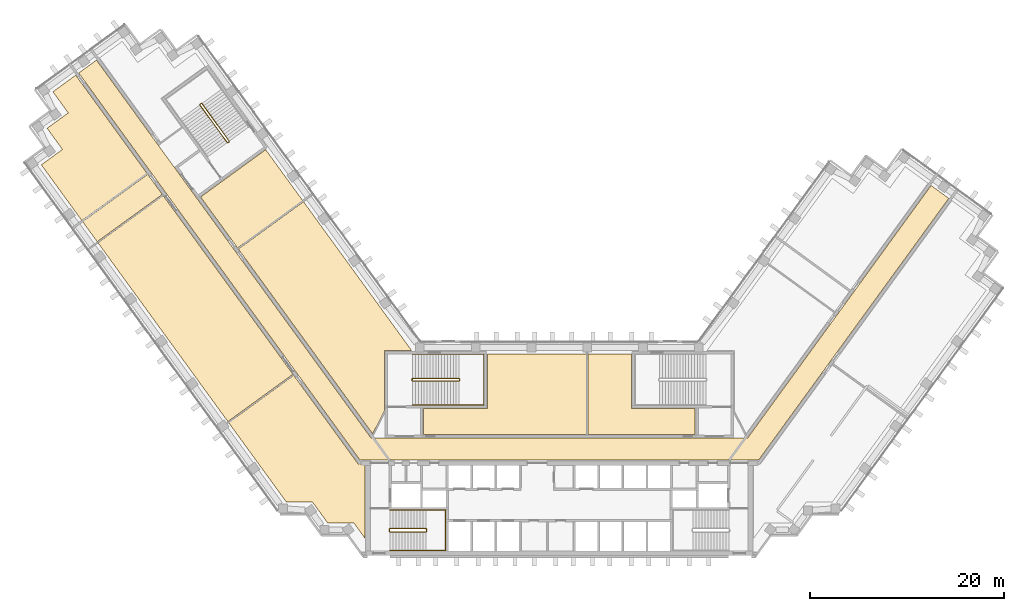
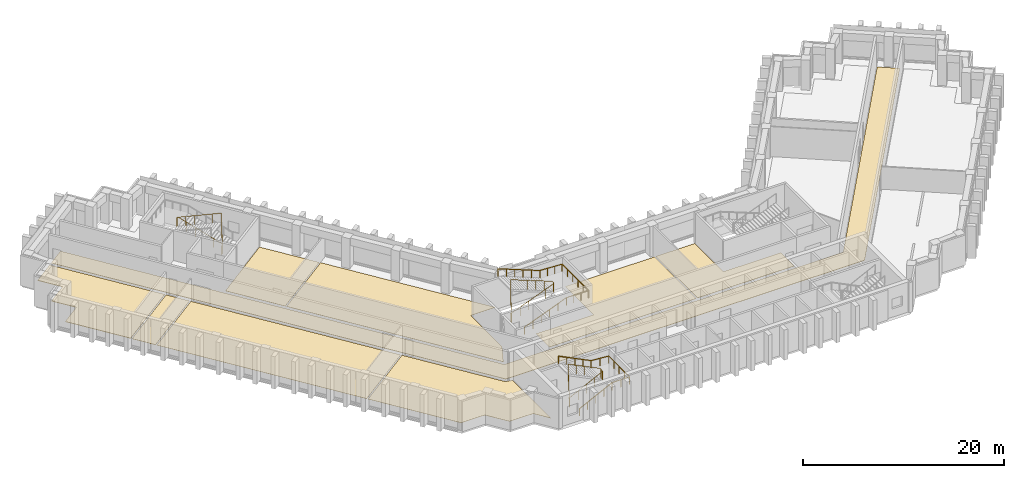
# One storey, part 11 of 12: 9 coverings, 5 railings.
"""IFC4 building model written with IfcOpenShell, lengths in metres."""

from ifc_helpers import new_model, si_unit, direction, frame, origin, origin_2d, place, context, subcontext, project, spatial, polyline, circle, outline, extrude, material, layer, layer_set, type_object, element, save


model = new_model("IFC4")

# Units and contexts
model_context = context("Model", 3, precision=1e-05, world=origin(), true_north=direction((0.0, 1.0)))
body_context = subcontext(model_context, "Body", "Model", "MODEL_VIEW")
ifc_project = project(units=[si_unit("LENGTHUNIT", "METRE"), si_unit("AREAUNIT", "SQUARE_METRE"), si_unit("VOLUMEUNIT", "CUBIC_METRE"), si_unit("PLANEANGLEUNIT", "RADIAN"), si_unit("MASSUNIT", "GRAM", prefix="KILO")], contexts=[model_context])

# Site, building, storey
site_placement = place(None, origin())
site = spatial("IfcSite", under=ifc_project, at=site_placement, CompositionType="ELEMENT")
building_placement = place(site_placement, origin())
building = spatial("IfcBuilding", under=site, at=building_placement, Name="Quipu Civic Tower", CompositionType="ELEMENT")
storey_placement = place(building_placement, frame((0.0, 0.0, 109.0)))
storey = spatial("IfcBuildingStorey", under=building, at=storey_placement, Name="L25", CompositionType="ELEMENT", Elevation=109.0)

# Coverings
ifc_material_1 = material(Name="Carpet tile on raised access floor")
ifc_layer_1 = layer(ifc_material_1, 0.02001953125)
ifc_layer_set_1 = layer_set([ifc_layer_1], Name="Carpet tile on raised access floor")
covering_type_1 = type_object("IfcCoveringType", Name="Carpet tile floor finish 20", PredefinedType="FLOORING", material=ifc_layer_set_1)
covering_1_placement = place(storey_placement, origin())
element("IfcCovering", 1, at=covering_1_placement, inside=storey, type_object=covering_type_1, Name="Carpet tile floor finish 20", PredefinedType="FLOORING", context=body_context, shape_type="SweptSolid", body=[
    extrude(outline(polyline([(-37.0380859375, 26.0380859375), (-30.31494140625, 30.922119140625), (-26.491943359375, 25.658935546875), (-33.215087890625, 20.77490234375), (-37.0380859375, 26.0380859375)])), origin(), (0.0, 0.0, 1.0), 0.02001953125),
])
covering_2_placement = place(storey_placement, origin())
element("IfcCovering", 2, at=covering_2_placement, inside=storey, type_object=covering_type_1, Name="Carpet tile floor finish 20", PredefinedType="FLOORING", context=body_context, shape_type="SweptSolid", body=[
    extrude(outline(polyline([(-34.138916015625, 2.738037109375), (-27.416015625, 7.62109375), (-20.77490234375, -1.51904296875), (-20.070068359375, -1.52001953125), (-20.070068359375, -9.195068359375), (-21.196044921875, -7.64599609375), (-21.6630859375, -7.64599609375), (-21.666015625, -7.64404296875), (-21.669921875, -7.64111328125), (-21.675048828125, -7.639892578125), (-21.679931640625, -7.637939453125), (-21.68408203125, -7.636962890625), (-21.68896484375, -7.636962890625), (-21.694091796875, -7.635986328125), (-21.698974609375, -7.636962890625), (-21.7041015625, -7.637939453125), (-21.708984375, -7.638916015625), (-21.712890625, -7.64111328125), (-21.718017578125, -7.64306640625), (-21.721923828125, -7.64599609375), (-21.721923828125, -7.64599609375), (-23.89501953125, -7.64599609375), (-25.48193359375, -5.4619140625), (-28.181884765625, -5.4609375), (-34.138916015625, 2.738037109375)])), origin(), (0.0, 0.0, 1.0), 0.02001953125),
])
covering_3_placement = place(storey_placement, origin())
element("IfcCovering", 3, at=covering_3_placement, inside=storey, type_object=covering_type_1, Name="Carpet tile floor finish 20", PredefinedType="FLOORING", context=body_context, shape_type="SweptSolid", body=[
    extrude(outline(polyline([(-14.030029296875, 1.52001953125), (-14.030029296875, 4.179931640625), (-7.429931640625, 4.180908203125), (-7.429931640625, 9.830078125), (2.80908203125, 9.830078125), (2.80908203125, 1.52001953125), (-14.030029296875, 1.52001953125)])), origin(), (0.0, 0.0, 1.0), 0.02001953125),
])
covering_4_placement = place(storey_placement, origin())
element("IfcCovering", 4, at=covering_4_placement, inside=storey, type_object=covering_type_1, Name="Carpet tile floor finish 20", PredefinedType="FLOORING", context=body_context, shape_type="SweptSolid", body=[
    extrude(outline(polyline([(-33.132080078125, 20.662109375), (-26.408935546875, 25.5458984375), (-15.238037109375, 10.169921875), (-18.070068359375, 10.1689453125), (-18.070068359375, 3.94189453125), (-19.27197265625, 1.583984375), (-33.132080078125, 20.662109375)])), origin(), (0.0, 0.0, 1.0), 0.02001953125),
])
covering_5_placement = place(storey_placement, origin())
element("IfcCovering", 5, at=covering_5_placement, inside=storey, type_object=covering_type_1, Name="Carpet tile floor finish 20", PredefinedType="FLOORING", context=body_context, shape_type="SweptSolid", body=[
    extrude(outline(polyline([(-47.62890625, 21.304931640625), (-40.905029296875, 26.18798828125), (-27.4990234375, 7.73388671875), (-34.221923828125, 2.85107421875), (-47.62890625, 21.304931640625)])), origin(), (0.0, 0.0, 1.0), 0.02001953125),
])
ifc_material_2 = material(Name="Ceramic floor tile")
ifc_layer_2 = layer(ifc_material_2, 0.030029296875)
ifc_layer_set_2 = layer_set([ifc_layer_2], Name="Ceramic floor tile")
covering_type_2 = type_object("IfcCoveringType", Name="Ceramic tile floor finish 30", PredefinedType="FLOORING", material=ifc_layer_set_2)
covering_6_placement = place(storey_placement, origin())
element("IfcCovering", 6, at=covering_6_placement, inside=storey, type_object=covering_type_2, Name="Ceramic tile floor finish 30", PredefinedType="FLOORING", context=body_context, shape_type="SweptSolid", body=[
    extrude(outline(polyline([(2.948974609375, 1.52001953125), (2.948974609375, 9.830078125), (7.429931640625, 9.830078125), (7.430908203125, 4.179931640625), (14.030029296875, 4.179931640625), (14.030029296875, 1.52001953125), (2.948974609375, 1.52001953125)])), origin(), (0.0, 0.0, 1.0), 0.030029296875),
])
covering_7_placement = place(storey_placement, origin())
element("IfcCovering", 7, at=covering_7_placement, inside=storey, type_object=covering_type_2, Name="Ceramic tile floor finish 30", PredefinedType="FLOORING", context=body_context, shape_type="SweptSolid", body=[
    extrude(outline(polyline([(-49.216064453125, 23.489013671875), (-42.491943359375, 28.373046875), (-40.988037109375, 26.301025390625), (-47.7119140625, 21.41796875), (-49.216064453125, 23.489013671875)])), origin(), (0.0, 0.0, 1.0), 0.030029296875),
])
ifc_material_3 = material(Name="Sealed cement screed")
ifc_layer_3 = layer(ifc_material_3, 0.050048828125)
ifc_layer_set_3 = layer_set([ifc_layer_3], Name="Sealed cement screed")
covering_type_3 = type_object("IfcCoveringType", Name="Sealed screed floor finish 50", PredefinedType="FLOORING", material=ifc_layer_set_3)
covering_8_placement = place(storey_placement, origin())
element("IfcCovering", 8, at=covering_8_placement, inside=storey, type_object=covering_type_3, Name="Sealed screed floor finish 50", PredefinedType="FLOORING", context=body_context, shape_type="SweptSolid", body=[
    extrude(outline(polyline([(-53.47998046875, 29.35791015625), (-51.297119140625, 30.945068359375), (-52.883056640625, 33.12890625), (-50.698974609375, 34.717041015625), (-52.284912109375, 36.90087890625), (-49.930908203125, 38.611083984375), (-42.574951171875, 28.486083984375), (-49.299072265625, 23.60205078125), (-53.47998046875, 29.35791015625)])), origin(), (0.0, 0.0, 1.0), 0.050048828125),
])

# Railings
ifc_material_4 = material(Name="Stainless steel", Category="steel")
railing_type_1 = type_object("IfcRailingType", Name="Stair guard 1100", PredefinedType="GUARDRAIL", material=ifc_material_4)
railing_1_placement = place(storey_placement, frame((-17.5, -8.550048828125, 0.15380859375)))
element("IfcRailing", 9, at=railing_1_placement, inside=storey, type_object=railing_type_1, Name="Stair 1 guard", PredefinedType="GUARDRAIL", context=body_context, shape_type="SweptSolid", body=[
    extrude(circle(Radius=0.02392578125, at=origin_2d()), frame((0.0, 0.0, 1.076171875), z_axis=(0.895751851347, 0.0, 0.444554407028), x_axis=(0.0, 1.0, 0.0)), (0.0, 0.0, 1.0), 4.15283203125),
    extrude(circle(Radius=0.02392578125, at=origin_2d()), frame((3.719970703125, 0.0, 2.92236328125), z_axis=(0.707106781187, 0.707106781187, 0.0), x_axis=(-0.707106781187, 0.707106781187, 0.0)), (0.0, 0.0, 1.0), 0.07080078125),
    extrude(circle(Radius=0.02392578125, at=origin_2d()), frame((3.77001953125, 0.050048828125, 2.92236328125), z_axis=(0.0, 1.0, 0.0), x_axis=(-1.0, 0.0, 0.0)), (0.0, 0.0, 1.0), 0.25),
    extrude(circle(Radius=0.02392578125, at=origin_2d()), frame((3.77001953125, 0.300048828125, 2.92236328125), z_axis=(-0.295599637079, 0.295599637079, 0.908428152975), x_axis=(-0.707106781187, -0.707106781187, 0.0)), (0.0, 0.0, 1.0), 0.16943359375),
    extrude(circle(Radius=0.02392578125, at=origin_2d()), frame((3.719970703125, 0.35009765625, 3.076171875), z_axis=(-0.895751851347, 0.0, 0.444554407028), x_axis=(0.0, -1.0, 0.0)), (0.0, 0.0, 1.0), 4.15283203125),
    extrude(circle(Radius=0.02392578125, at=origin_2d()), frame((0.0, 0.35009765625, 4.92236328125), z_axis=(-0.012476181752, -0.074796231092, -0.997120789425), x_axis=(0.986372223864, -0.164529134168, 0.0)), (0.0, 0.0, 1.0), 4.011474609375),
    extrude(circle(Radius=0.02392578125, at=origin_2d()), frame((-0.050048828125, 0.050048828125, 0.92236328125), z_axis=(0.0, 1.0, 0.0), x_axis=(-1.0, 0.0, 0.0)), (0.0, 0.0, 1.0), 0.25),
    extrude(circle(Radius=0.02099609375, at=origin_2d()), origin(), (0.0, 0.0, 1.0), 1.052001953125),
    extrude(circle(Radius=0.02099609375, at=origin_2d()), frame((0.929931640625, 0.0, 0.46142578125)), (0.0, 0.0, 1.0), 1.052001953125),
    extrude(circle(Radius=0.02099609375, at=origin_2d()), frame((1.85986328125, 0.0, 0.923095703125)), (0.0, 0.0, 1.0), 1.052001953125),
    extrude(circle(Radius=0.02099609375, at=origin_2d()), frame((2.7900390625, 0.0, 1.384765625)), (0.0, 0.0, 1.0), 1.052001953125),
    extrude(circle(Radius=0.02099609375, at=origin_2d()), frame((3.719970703125, 0.0, 1.84619140625)), (0.0, 0.0, 1.0), 1.052001953125),
    extrude(circle(Radius=0.02099609375, at=origin_2d()), frame((3.77001953125, 0.050048828125, 1.84619140625)), (0.0, 0.0, 1.0), 1.052001953125),
    extrude(circle(Radius=0.02099609375, at=origin_2d()), frame((3.77001953125, 0.300048828125, 1.84619140625)), (0.0, 0.0, 1.0), 1.052001953125),
    extrude(circle(Radius=0.02099609375, at=origin_2d()), frame((3.719970703125, 0.35009765625, 2.0)), (0.0, 0.0, 1.0), 1.052001953125),
    extrude(circle(Radius=0.02099609375, at=origin_2d()), frame((2.7900390625, 0.35009765625, 2.46142578125)), (0.0, 0.0, 1.0), 1.052001953125),
    extrude(circle(Radius=0.02099609375, at=origin_2d()), frame((1.85986328125, 0.35009765625, 2.923095703125)), (0.0, 0.0, 1.0), 1.052001953125),
    extrude(circle(Radius=0.02099609375, at=origin_2d()), frame((0.929931640625, 0.35009765625, 3.384765625)), (0.0, 0.0, 1.0), 1.052001953125),
    extrude(circle(Radius=0.02099609375, at=origin_2d()), frame((0.0, 0.35009765625, 3.84619140625)), (0.0, 0.0, 1.0), 1.052001953125),
    extrude(circle(Radius=0.02099609375, at=origin_2d()), frame((-0.012451171875, 0.275146484375, 2.84619140625)), (0.0, 0.0, 1.0), 1.052001953125),
    extrude(circle(Radius=0.02099609375, at=origin_2d()), frame((-0.02490234375, 0.2001953125, 1.84619140625)), (0.0, 0.0, 1.0), 1.052001953125),
    extrude(circle(Radius=0.02099609375, at=origin_2d()), frame((-0.03759765625, 0.125, 0.84619140625)), (0.0, 0.0, 1.0), 1.052001953125),
    extrude(circle(Radius=0.02099609375, at=origin_2d()), frame((-0.050048828125, 0.050048828125, -0.15380859375)), (0.0, 0.0, 1.0), 1.052001953125),
    extrude(circle(Radius=0.02099609375, at=origin_2d()), frame((-0.050048828125, 0.300048828125, -0.15380859375)), (0.0, 0.0, 1.0), 1.052001953125),
])
railing_2_placement = place(storey_placement, frame((-15.14990234375, 7.050048828125, 0.11767578125)))
element("IfcRailing", 10, at=railing_2_placement, inside=storey, type_object=railing_type_1, Name="Stair 3 guard", PredefinedType="GUARDRAIL", context=body_context, shape_type="SweptSolid", body=[
    extrude(circle(Radius=0.02392578125, at=origin_2d()), frame((0.0, 0.0, 1.076171875), z_axis=(0.930970042603, 0.0, 0.365095576219), x_axis=(0.0, 1.0, 0.0)), (0.0, 0.0, 1.0), 5.15576171875),
    extrude(circle(Radius=0.02392578125, at=origin_2d()), frame((4.7998046875, 0.0, 2.95849609375), z_axis=(0.707106781187, 0.707106781187, 0.0), x_axis=(-0.707106781187, 0.707106781187, 0.0)), (0.0, 0.0, 1.0), 0.07080078125),
    extrude(circle(Radius=0.02392578125, at=origin_2d()), frame((4.849853515625, 0.050048828125, 2.95849609375), z_axis=(0.0, 1.0, 0.0), x_axis=(-1.0, 0.0, 0.0)), (0.0, 0.0, 1.0), 0.14990234375),
    extrude(circle(Radius=0.02392578125, at=origin_2d()), frame((4.849853515625, 0.199951171875, 2.95849609375), z_axis=(-0.364463019033, 0.364463019033, 0.856932561824), x_axis=(-0.707106781187, -0.707106781187, 0.0)), (0.0, 0.0, 1.0), 0.13720703125),
    extrude(circle(Radius=0.02392578125, at=origin_2d()), frame((4.7998046875, 0.25, 3.076171875), z_axis=(-0.930970042603, 0.0, 0.365095576219), x_axis=(0.0, -1.0, 0.0)), (0.0, 0.0, 1.0), 5.15576171875),
    extrude(circle(Radius=0.02392578125, at=origin_2d()), frame((0.0, 0.25, 4.95849609375), z_axis=(-0.012495627992, -0.049921557685, -0.998674970829), x_axis=(0.970072785993, -0.242814311512, 0.0)), (0.0, 0.0, 1.0), 4.00537109375),
    extrude(circle(Radius=0.02392578125, at=origin_2d()), frame((-0.050048828125, 0.050048828125, 0.95849609375), z_axis=(0.0, 1.0, 0.0), x_axis=(-1.0, 0.0, 0.0)), (0.0, 0.0, 1.0), 0.14990234375),
    extrude(circle(Radius=0.02099609375, at=origin_2d()), origin(), (0.0, 0.0, 1.0), 1.052001953125),
    extrude(circle(Radius=0.02099609375, at=origin_2d()), frame((0.9599609375, 0.0, 0.37646484375)), (0.0, 0.0, 1.0), 1.052001953125),
    extrude(circle(Radius=0.02099609375, at=origin_2d()), frame((1.919921875, 0.0, 0.7529296875)), (0.0, 0.0, 1.0), 1.052001953125),
    extrude(circle(Radius=0.02099609375, at=origin_2d()), frame((2.8798828125, 0.0, 1.12939453125)), (0.0, 0.0, 1.0), 1.052001953125),
    extrude(circle(Radius=0.02099609375, at=origin_2d()), frame((3.83984375, 0.0, 1.505859375)), (0.0, 0.0, 1.0), 1.052001953125),
    extrude(circle(Radius=0.02099609375, at=origin_2d()), frame((4.7998046875, 0.0, 1.88232421875)), (0.0, 0.0, 1.0), 1.052001953125),
    extrude(circle(Radius=0.02099609375, at=origin_2d()), frame((4.849853515625, 0.050048828125, 1.88232421875)), (0.0, 0.0, 1.0), 1.052001953125),
    extrude(circle(Radius=0.02099609375, at=origin_2d()), frame((4.849853515625, 0.199951171875, 1.88232421875)), (0.0, 0.0, 1.0), 1.052001953125),
    extrude(circle(Radius=0.02099609375, at=origin_2d()), frame((4.7998046875, 0.25, 2.0)), (0.0, 0.0, 1.0), 1.052001953125),
    extrude(circle(Radius=0.02099609375, at=origin_2d()), frame((3.83984375, 0.25, 2.37646484375)), (0.0, 0.0, 1.0), 1.052001953125),
    extrude(circle(Radius=0.02099609375, at=origin_2d()), frame((2.8798828125, 0.25, 2.7529296875)), (0.0, 0.0, 1.0), 1.052001953125),
    extrude(circle(Radius=0.02099609375, at=origin_2d()), frame((1.919921875, 0.25, 3.12939453125)), (0.0, 0.0, 1.0), 1.052001953125),
    extrude(circle(Radius=0.02099609375, at=origin_2d()), frame((0.9599609375, 0.25, 3.505859375)), (0.0, 0.0, 1.0), 1.052001953125),
    extrude(circle(Radius=0.02099609375, at=origin_2d()), frame((0.0, 0.25, 3.88232421875)), (0.0, 0.0, 1.0), 1.052001953125),
    extrude(circle(Radius=0.02099609375, at=origin_2d()), frame((-0.012451171875, 0.199951171875, 2.88232421875)), (0.0, 0.0, 1.0), 1.052001953125),
    extrude(circle(Radius=0.02099609375, at=origin_2d()), frame((-0.02490234375, 0.14990234375, 1.88232421875)), (0.0, 0.0, 1.0), 1.052001953125),
    extrude(circle(Radius=0.02099609375, at=origin_2d()), frame((-0.03759765625, 0.10009765625, 0.88232421875)), (0.0, 0.0, 1.0), 1.052001953125),
    extrude(circle(Radius=0.02099609375, at=origin_2d()), frame((-0.050048828125, 0.050048828125, -0.11767578125)), (0.0, 0.0, 1.0), 1.052001953125),
    extrude(circle(Radius=0.02099609375, at=origin_2d()), frame((-0.050048828125, 0.199951171875, -0.11767578125)), (0.0, 0.0, 1.0), 1.052001953125),
])
railing_3_placement = place(storey_placement, frame((-34.078857421875, 31.79736328125, 0.11767578125)))
element("IfcRailing", 11, at=railing_3_placement, inside=storey, type_object=railing_type_1, Name="Stair 6 guard", PredefinedType="GUARDRAIL", context=body_context, shape_type="SweptSolid", body=[
    extrude(circle(Radius=0.02392578125, at=origin_2d()), frame((0.0, 0.0, 1.076171875), z_axis=(-0.54720100349, 0.753182689643, 0.365084781664), x_axis=(-0.809026317077, -0.587772420479, 0.0)), (0.0, 0.0, 1.0), 5.15576171875),
    extrude(circle(Radius=0.02392578125, at=origin_2d()), frame((-2.8212890625, 3.88330078125, 2.95849609375), z_axis=(-0.987846838465, 0.155430446612, 0.0), x_axis=(-0.155430446612, -0.987846838465, 0.0)), (0.0, 0.0, 1.0), 0.07080078125),
    extrude(circle(Radius=0.02392578125, at=origin_2d()), frame((-2.89111328125, 3.894287109375, 2.95849609375), z_axis=(-0.809649071907, -0.586914287065, 0.0), x_axis=(0.586914287065, -0.809649071907, 0.0)), (0.0, 0.0, 1.0), 0.150146484375),
    extrude(circle(Radius=0.02392578125, at=origin_2d()), frame((-3.0126953125, 3.80615234375, 2.95849609375), z_axis=(-0.080033047627, -0.508654480474, 0.857242865693), x_axis=(0.987846838465, -0.155430446612, 0.0)), (0.0, 0.0, 1.0), 0.13720703125),
    extrude(circle(Radius=0.02392578125, at=origin_2d()), frame((-3.023681640625, 3.736328125, 3.076171875), z_axis=(0.54720100349, -0.753182689643, 0.365084781664), x_axis=(0.809026317077, 0.587772420479, 0.0)), (0.0, 0.0, 1.0), 5.15576171875),
    extrude(circle(Radius=0.02392578125, at=origin_2d()), frame((-0.202392578125, -0.14697265625, 4.95849609375), z_axis=(0.047788004556, 0.019261491632, -0.998671768681), x_axis=(-0.373837031195, 0.92749440651, 0.0)), (0.0, 0.0, 1.0), 4.00537109375),
    extrude(circle(Radius=0.02392578125, at=origin_2d()), frame((-0.010986328125, -0.06982421875, 0.95849609375), z_axis=(-0.809087927272, -0.587687609145, 0.0), x_axis=(0.587687609145, -0.809087927272, 0.0)), (0.0, 0.0, 1.0), 0.14990234375),
    extrude(circle(Radius=0.02099609375, at=origin_2d()), origin(), (0.0, 0.0, 1.0), 1.052001953125),
    extrude(circle(Radius=0.02099609375, at=origin_2d()), frame((-0.564208984375, 0.776611328125, 0.37646484375)), (0.0, 0.0, 1.0), 1.052001953125),
    extrude(circle(Radius=0.02099609375, at=origin_2d()), frame((-1.12841796875, 1.55322265625, 0.7529296875)), (0.0, 0.0, 1.0), 1.052001953125),
    extrude(circle(Radius=0.02099609375, at=origin_2d()), frame((-1.69287109375, 2.330078125, 1.12939453125)), (0.0, 0.0, 1.0), 1.052001953125),
    extrude(circle(Radius=0.02099609375, at=origin_2d()), frame((-2.257080078125, 3.106689453125, 1.505859375)), (0.0, 0.0, 1.0), 1.052001953125),
    extrude(circle(Radius=0.02099609375, at=origin_2d()), frame((-2.8212890625, 3.88330078125, 1.88232421875)), (0.0, 0.0, 1.0), 1.052001953125),
    extrude(circle(Radius=0.02099609375, at=origin_2d()), frame((-2.89111328125, 3.894287109375, 1.88232421875)), (0.0, 0.0, 1.0), 1.052001953125),
    extrude(circle(Radius=0.02099609375, at=origin_2d()), frame((-3.0126953125, 3.80615234375, 1.88232421875)), (0.0, 0.0, 1.0), 1.052001953125),
    extrude(circle(Radius=0.02099609375, at=origin_2d()), frame((-3.023681640625, 3.736328125, 2.0)), (0.0, 0.0, 1.0), 1.052001953125),
    extrude(circle(Radius=0.02099609375, at=origin_2d()), frame((-2.45947265625, 2.959716796875, 2.37646484375)), (0.0, 0.0, 1.0), 1.052001953125),
    extrude(circle(Radius=0.02099609375, at=origin_2d()), frame((-1.895263671875, 2.18310546875, 2.7529296875)), (0.0, 0.0, 1.0), 1.052001953125),
    extrude(circle(Radius=0.02099609375, at=origin_2d()), frame((-1.330810546875, 1.40625, 3.12939453125)), (0.0, 0.0, 1.0), 1.052001953125),
    extrude(circle(Radius=0.02099609375, at=origin_2d()), frame((-0.7666015625, 0.629638671875, 3.505859375)), (0.0, 0.0, 1.0), 1.052001953125),
    extrude(circle(Radius=0.02099609375, at=origin_2d()), frame((-0.202392578125, -0.14697265625, 3.88232421875)), (0.0, 0.0, 1.0), 1.052001953125),
    extrude(circle(Radius=0.02099609375, at=origin_2d()), frame((-0.154541015625, -0.127685546875, 2.88232421875)), (0.0, 0.0, 1.0), 1.052001953125),
    extrude(circle(Radius=0.02099609375, at=origin_2d()), frame((-0.106689453125, -0.1083984375, 1.88232421875)), (0.0, 0.0, 1.0), 1.052001953125),
    extrude(circle(Radius=0.02099609375, at=origin_2d()), frame((-0.058837890625, -0.089111328125, 0.88232421875)), (0.0, 0.0, 1.0), 1.052001953125),
    extrude(circle(Radius=0.02099609375, at=origin_2d()), frame((-0.010986328125, -0.06982421875, -0.11767578125)), (0.0, 0.0, 1.0), 1.052001953125),
    extrude(circle(Radius=0.02099609375, at=origin_2d()), frame((-0.13232421875, -0.157958984375, -0.11767578125)), (0.0, 0.0, 1.0), 1.052001953125),
])
ifc_material_5 = material(Name="Stainless steel", Category="steel")
railing_type_2 = type_object("IfcRailingType", Name="Stair handrail", PredefinedType="HANDRAIL", material=ifc_material_5)
railing_4_placement = place(storey_placement, frame((-17.5, -10.449951171875, 0.15380859375)))
element("IfcRailing", 12, at=railing_4_placement, inside=storey, type_object=railing_type_2, Name="Stair 1 handrail", PredefinedType="HANDRAIL", context=body_context, shape_type="SweptSolid", body=[
    extrude(circle(Radius=0.02392578125, at=origin_2d()), frame((0.0, 0.0, 0.8759765625), z_axis=(0.895751851347, 0.0, 0.444554407028), x_axis=(0.0, 1.0, 0.0)), (0.0, 0.0, 1.0), 4.15283203125),
    extrude(circle(Radius=0.02392578125, at=origin_2d()), frame((3.719970703125, 0.0, 2.72216796875), z_axis=(1.0, 0.0, 0.0), x_axis=(0.0, 1.0, 0.0)), (0.0, 0.0, 1.0), 2.030029296875),
    extrude(circle(Radius=0.02392578125, at=origin_2d()), frame((5.75, 0.0, 2.72216796875), z_axis=(0.0, 1.0, 0.0), x_axis=(-1.0, 0.0, 0.0)), (0.0, 0.0, 1.0), 4.14990234375),
    extrude(circle(Radius=0.02392578125, at=origin_2d()), frame((5.75, 4.14990234375, 2.72216796875), z_axis=(-0.997142003663, 0.0, 0.075550145798), x_axis=(0.0, -1.0, 0.0)), (0.0, 0.0, 1.0), 2.035888671875),
    extrude(circle(Radius=0.02392578125, at=origin_2d()), frame((3.719970703125, 4.14990234375, 2.8759765625), z_axis=(-0.895751851347, 0.0, 0.444554407028), x_axis=(0.0, -1.0, 0.0)), (0.0, 0.0, 1.0), 4.15283203125),
    extrude(circle(Radius=0.02099609375, at=origin_2d()), origin(), (0.0, 0.0, 1.0), 0.851806640625),
    extrude(circle(Radius=0.02099609375, at=origin_2d()), frame((0.929931640625, 0.0, 0.46142578125)), (0.0, 0.0, 1.0), 0.851806640625),
    extrude(circle(Radius=0.02099609375, at=origin_2d()), frame((1.85986328125, 0.0, 0.923095703125)), (0.0, 0.0, 1.0), 0.851806640625),
    extrude(circle(Radius=0.02099609375, at=origin_2d()), frame((2.7900390625, 0.0, 1.384765625)), (0.0, 0.0, 1.0), 0.851806640625),
    extrude(circle(Radius=0.02099609375, at=origin_2d()), frame((3.719970703125, 0.0, 1.84619140625)), (0.0, 0.0, 1.0), 0.851806640625),
    extrude(circle(Radius=0.02099609375, at=origin_2d()), frame((4.73486328125, 0.0, 1.84619140625)), (0.0, 0.0, 1.0), 0.851806640625),
    extrude(circle(Radius=0.02099609375, at=origin_2d()), frame((5.75, 0.0, 1.84619140625)), (0.0, 0.0, 1.0), 0.851806640625),
    extrude(circle(Radius=0.02099609375, at=origin_2d()), frame((5.75, 1.03759765625, 1.84619140625)), (0.0, 0.0, 1.0), 0.851806640625),
    extrude(circle(Radius=0.02099609375, at=origin_2d()), frame((5.75, 2.074951171875, 1.84619140625)), (0.0, 0.0, 1.0), 0.851806640625),
    extrude(circle(Radius=0.02099609375, at=origin_2d()), frame((5.75, 3.1123046875, 1.84619140625)), (0.0, 0.0, 1.0), 0.851806640625),
    extrude(circle(Radius=0.02099609375, at=origin_2d()), frame((5.75, 4.14990234375, 1.84619140625)), (0.0, 0.0, 1.0), 0.851806640625),
    extrude(circle(Radius=0.02099609375, at=origin_2d()), frame((4.73486328125, 4.14990234375, 1.923095703125)), (0.0, 0.0, 1.0), 0.851806640625),
    extrude(circle(Radius=0.02099609375, at=origin_2d()), frame((3.719970703125, 4.14990234375, 2.0)), (0.0, 0.0, 1.0), 0.851806640625),
    extrude(circle(Radius=0.02099609375, at=origin_2d()), frame((2.7900390625, 4.14990234375, 2.46142578125)), (0.0, 0.0, 1.0), 0.851806640625),
    extrude(circle(Radius=0.02099609375, at=origin_2d()), frame((1.85986328125, 4.14990234375, 2.923095703125)), (0.0, 0.0, 1.0), 0.851806640625),
    extrude(circle(Radius=0.02099609375, at=origin_2d()), frame((0.929931640625, 4.14990234375, 3.384765625)), (0.0, 0.0, 1.0), 0.851806640625),
    extrude(circle(Radius=0.02099609375, at=origin_2d()), frame((0.0, 4.14990234375, 3.84619140625)), (0.0, 0.0, 1.0), 0.851806640625),
])
railing_5_placement = place(storey_placement, frame((-15.14990234375, 4.550048828125, 0.11767578125)))
element("IfcRailing", 13, at=railing_5_placement, inside=storey, type_object=railing_type_2, Name="Stair 3 handrail", PredefinedType="HANDRAIL", context=body_context, shape_type="SweptSolid", body=[
    extrude(circle(Radius=0.02392578125, at=origin_2d()), frame((0.0, 0.0, 0.8759765625), z_axis=(0.930970042603, 0.0, 0.365095576219), x_axis=(0.0, 1.0, 0.0)), (0.0, 0.0, 1.0), 5.15576171875),
    extrude(circle(Radius=0.02392578125, at=origin_2d()), frame((4.7998046875, 0.0, 2.75830078125), z_axis=(1.0, 0.0, 0.0), x_axis=(0.0, 1.0, 0.0)), (0.0, 0.0, 1.0), 2.550048828125),
    extrude(circle(Radius=0.02392578125, at=origin_2d()), frame((7.349853515625, 0.0, 2.75830078125), z_axis=(0.0, 1.0, 0.0), x_axis=(-1.0, 0.0, 0.0)), (0.0, 0.0, 1.0), 5.25),
    extrude(circle(Radius=0.02392578125, at=origin_2d()), frame((7.349853515625, 5.25, 2.75830078125), z_axis=(-0.998936948642, 0.0, 0.04609742549), x_axis=(0.0, -1.0, 0.0)), (0.0, 0.0, 1.0), 2.552734375),
    extrude(circle(Radius=0.02392578125, at=origin_2d()), frame((4.7998046875, 5.25, 2.8759765625), z_axis=(-0.930970042603, 0.0, 0.365095576219), x_axis=(0.0, -1.0, 0.0)), (0.0, 0.0, 1.0), 5.15576171875),
    extrude(circle(Radius=0.02099609375, at=origin_2d()), origin(), (0.0, 0.0, 1.0), 0.851806640625),
    extrude(circle(Radius=0.02099609375, at=origin_2d()), frame((0.9599609375, 0.0, 0.37646484375)), (0.0, 0.0, 1.0), 0.851806640625),
    extrude(circle(Radius=0.02099609375, at=origin_2d()), frame((1.919921875, 0.0, 0.7529296875)), (0.0, 0.0, 1.0), 0.851806640625),
    extrude(circle(Radius=0.02099609375, at=origin_2d()), frame((2.8798828125, 0.0, 1.12939453125)), (0.0, 0.0, 1.0), 0.851806640625),
    extrude(circle(Radius=0.02099609375, at=origin_2d()), frame((3.83984375, 0.0, 1.505859375)), (0.0, 0.0, 1.0), 0.851806640625),
    extrude(circle(Radius=0.02099609375, at=origin_2d()), frame((4.7998046875, 0.0, 1.88232421875)), (0.0, 0.0, 1.0), 0.851806640625),
    extrude(circle(Radius=0.02099609375, at=origin_2d()), frame((5.64990234375, 0.0, 1.88232421875)), (0.0, 0.0, 1.0), 0.851806640625),
    extrude(circle(Radius=0.02099609375, at=origin_2d()), frame((6.499755859375, 0.0, 1.88232421875)), (0.0, 0.0, 1.0), 0.851806640625),
    extrude(circle(Radius=0.02099609375, at=origin_2d()), frame((7.349853515625, 0.0, 1.88232421875)), (0.0, 0.0, 1.0), 0.851806640625),
    extrude(circle(Radius=0.02099609375, at=origin_2d()), frame((7.349853515625, 1.050048828125, 1.88232421875)), (0.0, 0.0, 1.0), 0.851806640625),
    extrude(circle(Radius=0.02099609375, at=origin_2d()), frame((7.349853515625, 2.10009765625, 1.88232421875)), (0.0, 0.0, 1.0), 0.851806640625),
    extrude(circle(Radius=0.02099609375, at=origin_2d()), frame((7.349853515625, 3.14990234375, 1.88232421875)), (0.0, 0.0, 1.0), 0.851806640625),
    extrude(circle(Radius=0.02099609375, at=origin_2d()), frame((7.349853515625, 4.199951171875, 1.88232421875)), (0.0, 0.0, 1.0), 0.851806640625),
    extrude(circle(Radius=0.02099609375, at=origin_2d()), frame((7.349853515625, 5.25, 1.88232421875)), (0.0, 0.0, 1.0), 0.851806640625),
    extrude(circle(Radius=0.02099609375, at=origin_2d()), frame((6.499755859375, 5.25, 1.921630859375)), (0.0, 0.0, 1.0), 0.851806640625),
    extrude(circle(Radius=0.02099609375, at=origin_2d()), frame((5.64990234375, 5.25, 1.960693359375)), (0.0, 0.0, 1.0), 0.851806640625),
    extrude(circle(Radius=0.02099609375, at=origin_2d()), frame((4.7998046875, 5.25, 2.0)), (0.0, 0.0, 1.0), 0.851806640625),
    extrude(circle(Radius=0.02099609375, at=origin_2d()), frame((3.83984375, 5.25, 2.37646484375)), (0.0, 0.0, 1.0), 0.851806640625),
    extrude(circle(Radius=0.02099609375, at=origin_2d()), frame((2.8798828125, 5.25, 2.7529296875)), (0.0, 0.0, 1.0), 0.851806640625),
    extrude(circle(Radius=0.02099609375, at=origin_2d()), frame((1.919921875, 5.25, 3.12939453125)), (0.0, 0.0, 1.0), 0.851806640625),
    extrude(circle(Radius=0.02099609375, at=origin_2d()), frame((0.9599609375, 5.25, 3.505859375)), (0.0, 0.0, 1.0), 0.851806640625),
    extrude(circle(Radius=0.02099609375, at=origin_2d()), frame((0.0, 5.25, 3.88232421875)), (0.0, 0.0, 1.0), 0.851806640625),
])

# Covering
ifc_material_6 = material(Name="Terrazzo floor finish")
ifc_layer_4 = layer(ifc_material_6, 0.0400390625)
ifc_layer_set_4 = layer_set([ifc_layer_4], Name="Terrazzo floor finish")
covering_type_4 = type_object("IfcCoveringType", Name="Terrazzo floor finish 40", PredefinedType="FLOORING", material=ifc_layer_set_4)
covering_9_placement = place(storey_placement, origin())
element("IfcCovering", 14, at=covering_9_placement, inside=storey, type_object=covering_type_4, Name="Terrazzo floor finish 40", PredefinedType="FLOORING", context=body_context, shape_type="SweptSolid", body=[
    extrude(outline(polyline([(38.382080078125, 27.22412109375), (40.2109375, 25.89599609375), (20.574951171875, -1.1298828125), (-20.574951171875, -1.1298828125), (-49.615966796875, 38.840087890625), (-47.787109375, 40.16796875), (-19.425048828125, 1.1298828125), (19.425048828125, 1.1298828125), (38.382080078125, 27.22412109375)])), origin(), (0.0, 0.0, 1.0), 0.0400390625),
])

save(model, "model.ifc")
